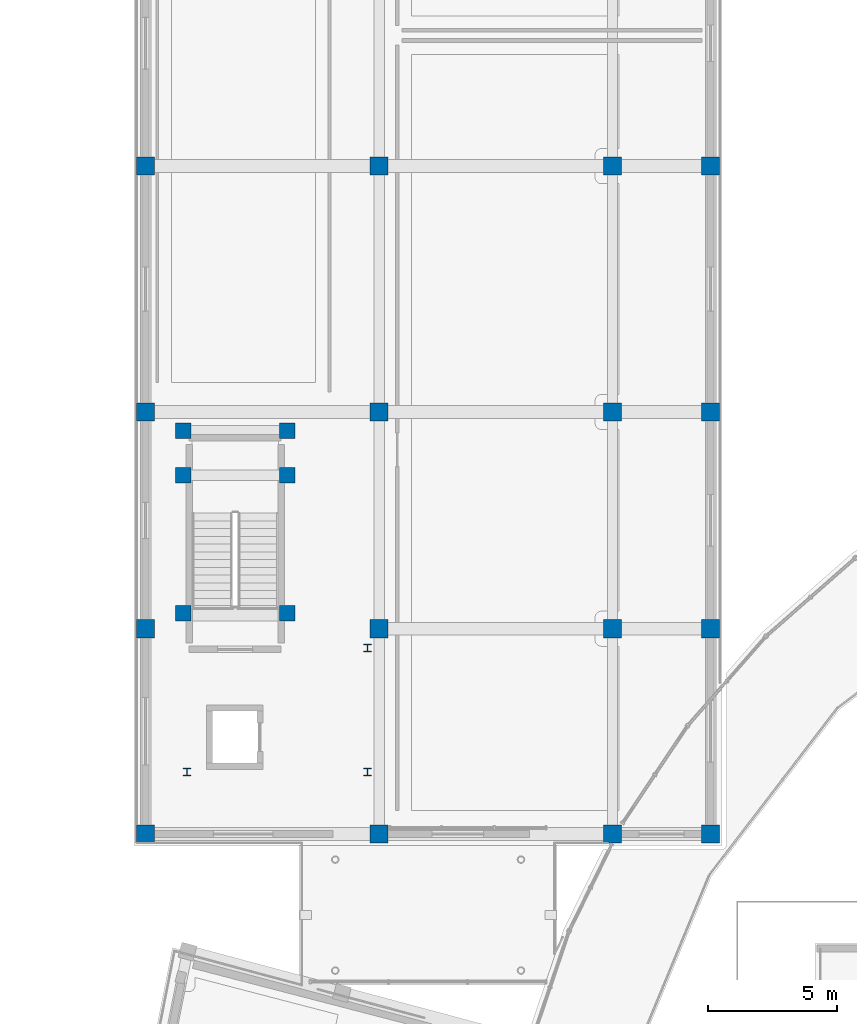
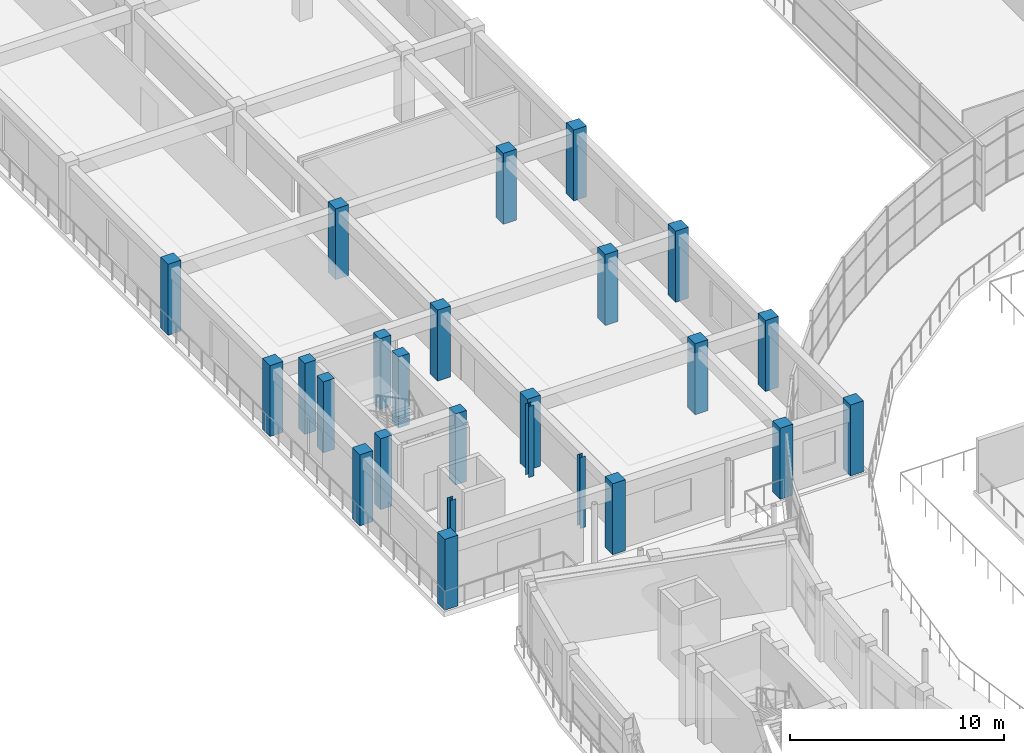
# One storey, part 5 of 83: 25 columns.
"""IFC4 building model written with IfcOpenShell, lengths in metres."""

import ifcopenshell
import ifcopenshell.guid

model = None  # the IFC model being written
_history = None  # IfcOwnerHistory: only IFC2X3 demands one
_inside = {}  # id of a spatial element -> (the spatial element, [elements in it])
_under = {}  # id of a project, library or spatial element -> (it, [spatial elements below it])
_declared = {}  # id of a project -> (the project, [libraries it declares])
_typed = {}  # id of a type object -> (the type object, [elements of that type])
_made_of = {}  # id of a material, layer set ... -> (it, [elements and type objects made of it])


def new_model(schema):
    """Start an empty IFC model of exactly this schema.

    Asked for "IFC4X3", IfcOpenShell would pick the latest addendum, in which some entities
    have other attributes; the version numbers below select the first issue.
    IFC2X3 requires an IfcOwnerHistory on every rooted entity: one is made here for all.
    """
    global model, _history
    if schema == "IFC4X3":
        model = ifcopenshell.file(schema_version=(4, 3, 0, 0))
    else:
        model = ifcopenshell.file(schema=schema)
    _inside.clear()
    _under.clear()
    _declared.clear()
    _typed.clear()
    _made_of.clear()
    _history = None
    if model.schema == "IFC2X3":
        org = make("IfcOrganization", Name="unknown")
        user = make(
            "IfcPersonAndOrganization",
            ThePerson=make("IfcPerson", FamilyName="unknown"),
            TheOrganization=org,
        )
        app = make(
            "IfcApplication",
            ApplicationDeveloper=org,
            Version="unknown",
            ApplicationFullName="unknown",
            ApplicationIdentifier="unknown",
        )
        _history = make(
            "IfcOwnerHistory",
            OwningUser=user,
            OwningApplication=app,
            ChangeAction="ADDED",
            CreationDate=0,
        )
    return model


def make(cls, **values):
    """One entity of the class cls with the attributes given. An attribute that is None is left unset."""
    return model.create_entity(
        cls, **{name: value for name, value in values.items() if value is not None}
    )


def rooted(cls, **values):
    """An entity with a GlobalId (a new one), such as an element, a storey or a relation."""
    return make(cls, GlobalId=ifcopenshell.guid.new(), OwnerHistory=_history, **values)


def si_unit(unit_type, name, prefix=None):
    """IfcSIUnit, for example si_unit("LENGTHUNIT", "METRE", prefix="MILLI")."""
    return make("IfcSIUnit", UnitType=unit_type, Prefix=prefix, Name=name)


def assignment(units):
    """IfcUnitAssignment: the units of a project."""
    return None if units is None else make("IfcUnitAssignment", Units=units)


def point(xyz):
    """IfcCartesianPoint."""
    return None if xyz is None else make("IfcCartesianPoint", Coordinates=xyz)


def direction(xyz):
    """IfcDirection."""
    return None if xyz is None else make("IfcDirection", DirectionRatios=xyz)


def frame(location, z_axis=None, x_axis=None):
    """IfcAxis2Placement3D, a coordinate frame: its origin and axes. An axis left out is left unset."""
    return make(
        "IfcAxis2Placement3D",
        Location=point(location),
        Axis=direction(z_axis),
        RefDirection=direction(x_axis),
    )


def frame_2d(location, x_axis=None):
    """IfcAxis2Placement2D, a coordinate frame in the plane: its origin and x axis."""
    return make(
        "IfcAxis2Placement2D", Location=point(location), RefDirection=direction(x_axis)
    )


def origin():
    """The frame at (0, 0, 0) with its axes left unset."""
    return frame((0.0, 0.0, 0.0))


def origin_2d():
    """The frame at (0, 0) in the plane with its x axis left unset."""
    return frame_2d((0.0, 0.0))


def place(relative_to, where):
    """IfcLocalPlacement: puts the frame where relative to a parent placement (None: the world)."""
    return make(
        "IfcLocalPlacement", PlacementRelTo=relative_to, RelativePlacement=where
    )


def context(
    kind, dimensions, precision=None, world=None, true_north=None, identifier=None
):
    """IfcGeometricRepresentationContext, for example the 3D "Model" context."""
    return make(
        "IfcGeometricRepresentationContext",
        ContextIdentifier=identifier,
        ContextType=kind,
        CoordinateSpaceDimension=dimensions,
        Precision=precision,
        WorldCoordinateSystem=world,
        TrueNorth=true_north,
    )


def subcontext(parent, identifier, kind, view, scale=None):
    """IfcGeometricRepresentationSubContext, for example "Body" below "Model"."""
    return make(
        "IfcGeometricRepresentationSubContext",
        ContextIdentifier=identifier,
        ContextType=kind,
        ParentContext=parent,
        TargetScale=scale,
        TargetView=view,
    )


def project(units=None, contexts=None):
    """IfcProject with its units and contexts."""
    return rooted(
        "IfcProject",
        Name="project",
        RepresentationContexts=contexts,
        UnitsInContext=assignment(units),
    )


def spatial(cls, under=None, at=None, **own):
    """A site, building, storey or space (cls), placed at a placement, below another one or the project."""
    s = rooted(cls, ObjectPlacement=at, **own)
    if under is not None:
        _under.setdefault(under.id(), (under, []))[1].append(s)
    return s


def profile(cls, at=None, kind="AREA", **sizes):
    """A parametric profile (cls). Its sizes go by their IFC names, for example OverallWidth=200.0."""
    return make(cls, ProfileType=kind, Position=at, **sizes)


def rectangle(**sizes):
    """IfcRectangleProfileDef."""
    return profile("IfcRectangleProfileDef", **sizes)


def i_section(**sizes):
    """IfcIShapeProfileDef."""
    return profile("IfcIShapeProfileDef", **sizes)


def extrude(swept, where, along, depth):
    """IfcExtrudedAreaSolid: the profile swept, set in the frame where, extruded along a direction by depth."""
    return make(
        "IfcExtrudedAreaSolid",
        SweptArea=swept,
        Position=where,
        ExtrudedDirection=direction(along),
        Depth=depth,
    )


def shape(context_of_items, identifier, shape_type, items):
    """IfcShapeRepresentation: the items that make up one representation, for example the "Body"."""
    return make(
        "IfcShapeRepresentation",
        ContextOfItems=context_of_items,
        RepresentationIdentifier=identifier,
        RepresentationType=shape_type,
        Items=items,
    )


def material(Name=None, Category=None):
    """IfcMaterial."""
    return make("IfcMaterial", Name=Name, Category=Category)


def material_profile(
    of_material, cross_section, Name=None, Category=None, Priority=None
):
    """IfcMaterialProfile: a cross section and its material."""
    return make(
        "IfcMaterialProfile",
        Name=Name,
        Material=of_material,
        Profile=cross_section,
        Priority=Priority,
        Category=Category,
    )


def profile_set(profiles, Name=None, composite=None):
    """IfcMaterialProfileSet."""
    return make(
        "IfcMaterialProfileSet",
        Name=Name,
        MaterialProfiles=profiles,
        CompositeProfile=composite,
    )


def made_of(thing, what):
    """Note that an element or type object is made of a material, layer set ...; save() writes the relation."""
    if what is not None:
        _made_of.setdefault(what.id(), (what, []))[1].append(thing)
    return thing


def type_object(cls, material=None, **own):
    """A type object (cls), such as IfcWallType, which elements share."""
    return made_of(rooted(cls, **own), material)


def element(
    cls,
    number,
    at=None,
    inside=None,
    cuts=None,
    type_object=None,
    material=None,
    context=None,
    identifier="Body",
    shape_type=None,
    held_by="IfcProductDefinitionShape",
    body=None,
    shapes=None,
    **own,
):
    """One element of the class cls, such as IfcWall. Its Tag is "e" and its number.

    at: its placement. inside: the storey or other place that contains it. cuts: it is an
    opening in that element (IfcRelVoidsElement). A single representation is given by context,
    identifier, shape_type and body (its items); several are given by shapes. held_by: the class
    of the entity that holds the representations. save() writes the other relations.
    """
    e = rooted(cls, Tag="e%d" % number, ObjectPlacement=at, **own)
    if body is not None:
        shapes = [shape(context, identifier, shape_type, body)]
    if shapes is not None:
        e.Representation = make(held_by, Representations=shapes)
    if inside is not None:
        _inside.setdefault(inside.id(), (inside, []))[1].append(e)
    if cuts is not None:
        rooted(
            "IfcRelVoidsElement", RelatingBuildingElement=cuts, RelatedOpeningElement=e
        )
    if type_object is not None:
        _typed.setdefault(type_object.id(), (type_object, []))[1].append(e)
    return made_of(e, material)


def aggregate(whole, parts):
    """IfcRelAggregates: a whole, such as a stair, and the parts it consists of."""
    return rooted("IfcRelAggregates", RelatingObject=whole, RelatedObjects=parts)


def save(model, path):
    """Write the relations noted so far, then the file.

    IfcRelAggregates (storeys below a building ...), IfcRelContainedInSpatialStructure (elements
    in a storey), IfcRelDefinesByType, IfcRelAssociatesMaterial and IfcRelDeclares: one each for
    every whole, place, type object, material and project.
    """
    for whole, parts in _under.values():
        aggregate(whole, parts)
    for where, things in _inside.values():
        rooted(
            "IfcRelContainedInSpatialStructure",
            RelatedElements=things,
            RelatingStructure=where,
        )
    for kind, things in _typed.values():
        rooted("IfcRelDefinesByType", RelatedObjects=things, RelatingType=kind)
    for what, things in _made_of.values():
        rooted("IfcRelAssociatesMaterial", RelatedObjects=things, RelatingMaterial=what)
    for by, libraries in _declared.values():
        rooted("IfcRelDeclares", RelatingContext=by, RelatedDefinitions=libraries)
    model.write(path)


model = new_model("IFC4")

# Units and contexts
model_context = context("Model", 3, precision=1e-05, world=origin(), true_north=direction((0.0, 1.0)))
body_context = subcontext(model_context, "Body", "Model", "MODEL_VIEW")
ifc_project = project(units=[si_unit("LENGTHUNIT", "METRE"), si_unit("AREAUNIT", "SQUARE_METRE"), si_unit("VOLUMEUNIT", "CUBIC_METRE"), si_unit("PLANEANGLEUNIT", "RADIAN"), si_unit("MASSUNIT", "GRAM", prefix="KILO")], contexts=[model_context])

# Site, building, storey
site_placement = place(None, origin())
site = spatial("IfcSite", under=ifc_project, at=site_placement, CompositionType="ELEMENT")
building_placement = place(site_placement, origin())
building = spatial("IfcBuilding", under=site, at=building_placement, Name="Saryqyr Civic Hall", CompositionType="ELEMENT")
storey_placement = place(building_placement, frame((0.0, 0.0, 9.14990234375)))
storey = spatial("IfcBuildingStorey", under=building, at=storey_placement, Name="L02", CompositionType="ELEMENT", Elevation=9.14990234375)

# Columns
ifc_material_1 = material(Name="Steel S355", Category="steel")
ifc_material_profile_1 = material_profile(ifc_material_1, i_section(OverallWidth=0.300048828125, OverallDepth=0.2900390625, WebThickness=0.008544921875, FlangeThickness=0.013916015625, at=origin_2d()), Name="HEA 300")
ifc_profile_set_1 = profile_set([ifc_material_profile_1], Name="Steel S355")
column_type_1 = type_object("IfcColumnType", Name="STR-COL-HEA300-S355", PredefinedType="COLUMN", material=ifc_profile_set_1)
for number, where, z_axis, x_axis, name in (
    (1, (9.64990234375, 103.64990234375, 0.0), (0.0, 0.0, 1.0), (1.0, 0.0, 0.0), "Column RGV3-COL-1-L02"),
    (2, (16.64990234375, 103.64990234375, 0.0), (0.0, 0.0, 1.0), (1.0, 0.0, 0.0), "Column RGV3-COL-2-L02"),
    (3, (16.64990234375, 108.449951171875, 0.0), (0.0, 0.0, 1.0), (1.0, 0.0, 0.0), "Column RGV3-COL-3-L02"),
):
    element("IfcColumn", number, at=place(storey_placement, frame(where, z_axis=z_axis, x_axis=x_axis)), inside=storey, type_object=column_type_1, Name=name, PredefinedType="COLUMN", context=body_context, shape_type="SweptSolid", body=[
        extrude(i_section(OverallWidth=0.300048828125, OverallDepth=0.2900390625, WebThickness=0.008544921875, FlangeThickness=0.013916015625, at=origin_2d()), origin(), (0.0, 0.0, 1.0), 4.050048828125),
    ])
ifc_material_2 = material(Name="Concrete C40/50", Category="concrete")
ifc_material_profile_2 = material_profile(ifc_material_2, rectangle(XDim=0.60009765625, YDim=0.60009765625, at=origin_2d()), Name="RC 600x600")
ifc_profile_set_2 = profile_set([ifc_material_profile_2], Name="Concrete C40/50")
column_type_2 = type_object("IfcColumnType", Name="STR-COL-RC600-C40", PredefinedType="COLUMN", material=ifc_profile_set_2)
for number, where, z_axis, x_axis, name in (
    (4, (13.5400390625, 109.794921875, 0.0), (0.0, 0.0, 1.0), (1.0, 0.0, 0.0), "Column ST-3-SCOL-TRMA-L02"),
    (5, (9.5, 109.794921875, 0.0), (0.0, 0.0, 1.0), (1.0, 0.0, 0.0), "Column ST-3-SCOL-TRMB-L02"),
    (6, (13.5400390625, 115.14990234375, 0.0), (0.0, 0.0, 1.0), (1.0, 0.0, 0.0), "Column ST-3-SCOL-LND1A-L02"),
    (7, (9.5, 115.14990234375, 0.0), (0.0, 0.0, 1.0), (1.0, 0.0, 0.0), "Column ST-3-SCOL-LND1B-L02"),
    (8, (13.5400390625, 116.8798828125, 0.0), (0.0, 0.0, 1.0), (1.0, 0.0, 0.0), "Column ST-3-SCOL-LND2A-L02"),
    (9, (9.5, 116.8798828125, 0.0), (0.0, 0.0, 1.0), (1.0, 0.0, 0.0), "Column ST-3-SCOL-LND2B-L02"),
):
    element("IfcColumn", number, at=place(storey_placement, frame(where, z_axis=z_axis, x_axis=x_axis)), inside=storey, type_object=column_type_2, Name=name, PredefinedType="COLUMN", context=body_context, shape_type="SweptSolid", body=[
        extrude(rectangle(XDim=0.60009765625, YDim=0.60009765625, at=origin_2d()), origin(), (0.0, 0.0, 1.0), 4.050048828125),
    ])
ifc_material_profile_3 = material_profile(ifc_material_2, rectangle(XDim=0.699951171875, YDim=0.699951171875, at=origin_2d()), Name="RC 700x700")
ifc_profile_set_3 = profile_set([ifc_material_profile_3], Name="Concrete C40/50")
column_type_3 = type_object("IfcColumnType", Name="STR-COL-RC700-C40", PredefinedType="COLUMN", material=ifc_profile_set_3)
for number, where, z_axis, x_axis, name in (
    (10, (8.050048828125, 101.25, 0.0), (0.0, 0.0, 1.0), (1.0, 0.0, 0.0), "Column V3-COL-11-L02"),
    (11, (8.050048828125, 109.199951171875, 0.0), (0.0, 0.0, 1.0), (1.0, 0.0, 0.0), "Column V3-COL-12-L02"),
    (12, (8.050048828125, 117.60009765625, 0.0), (0.0, 0.0, 1.0), (1.0, 0.0, 0.0), "Column V3-COL-13-L02"),
    (13, (8.050048828125, 127.1298828125, 0.0), (0.0, 0.0, 1.0), (1.0, 0.0, 0.0), "Column V3-COL-14-L02"),
    (14, (17.10009765625, 101.25, 0.0), (0.0, 0.0, 1.0), (1.0, 0.0, 0.0), "Column V3-COL-21-L02"),
    (15, (17.10009765625, 109.199951171875, 0.0), (0.0, 0.0, 1.0), (1.0, 0.0, 0.0), "Column V3-COL-22-L02"),
    (16, (17.10009765625, 117.60009765625, 0.0), (0.0, 0.0, 1.0), (1.0, 0.0, 0.0), "Column V3-COL-23-L02"),
    (17, (17.10009765625, 127.1298828125, 0.0), (0.0, 0.0, 1.0), (1.0, 0.0, 0.0), "Column V3-COL-24-L02"),
    (18, (26.14990234375, 101.25, 0.0), (0.0, 0.0, 1.0), (1.0, 0.0, 0.0), "Column V3-COL-31-L02"),
    (19, (26.14990234375, 109.199951171875, 0.0), (0.0, 0.0, 1.0), (1.0, 0.0, 0.0), "Column V3-COL-32-L02"),
    (20, (26.14990234375, 117.60009765625, 0.0), (0.0, 0.0, 1.0), (1.0, 0.0, 0.0), "Column V3-COL-33-L02"),
    (21, (26.14990234375, 127.1298828125, 0.0), (0.0, 0.0, 1.0), (1.0, 0.0, 0.0), "Column V3-COL-34-L02"),
    (22, (29.949951171875, 101.25, 0.0), (0.0, 0.0, 1.0), (1.0, 0.0, 0.0), "Column V3-COL-41-L02"),
    (23, (29.949951171875, 109.199951171875, 0.0), (0.0, 0.0, 1.0), (1.0, 0.0, 0.0), "Column V3-COL-42-L02"),
    (24, (29.949951171875, 117.60009765625, 0.0), (0.0, 0.0, 1.0), (1.0, 0.0, 0.0), "Column V3-COL-43-L02"),
    (25, (29.949951171875, 127.1298828125, 0.0), (0.0, 0.0, 1.0), (1.0, 0.0, 0.0), "Column V3-COL-44-L02"),
):
    element("IfcColumn", number, at=place(storey_placement, frame(where, z_axis=z_axis, x_axis=x_axis)), inside=storey, type_object=column_type_3, Name=name, PredefinedType="COLUMN", context=body_context, shape_type="SweptSolid", body=[
        extrude(rectangle(XDim=0.699951171875, YDim=0.699951171875, at=origin_2d()), origin(), (0.0, 0.0, 1.0), 4.050048828125),
    ])

save(model, "model.ifc")
